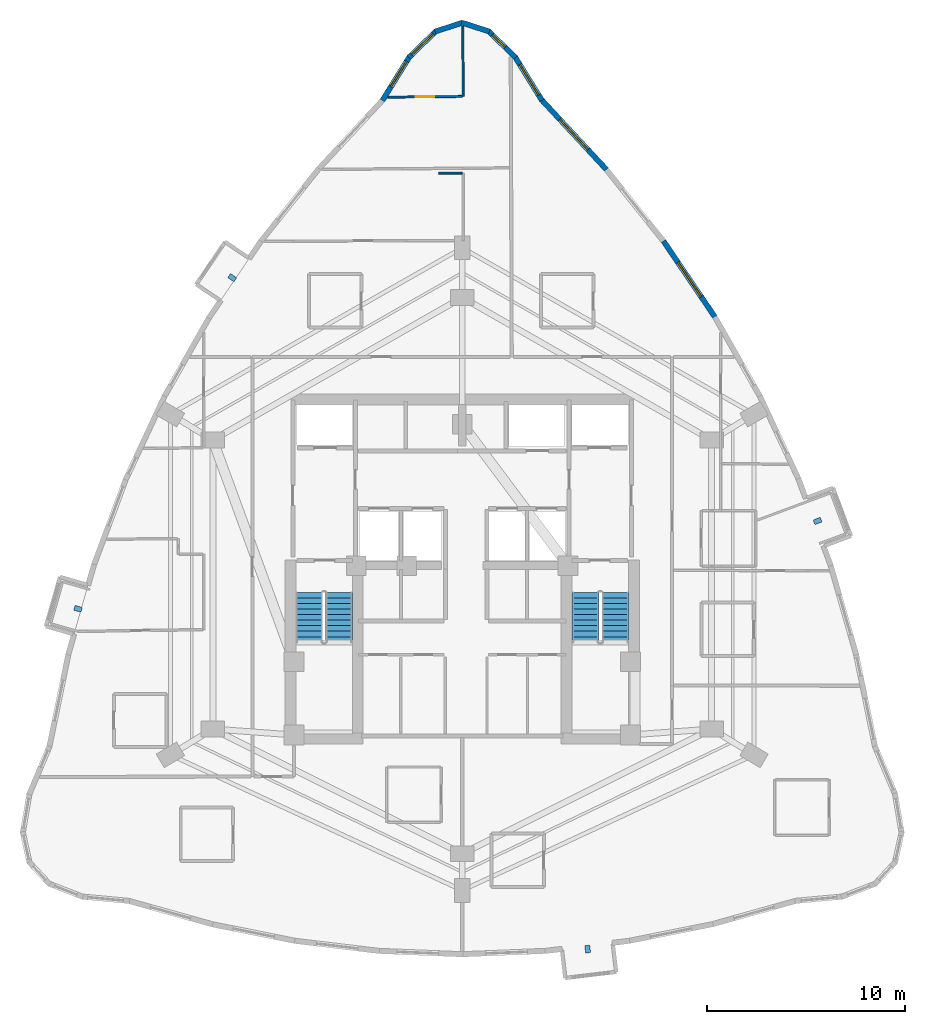
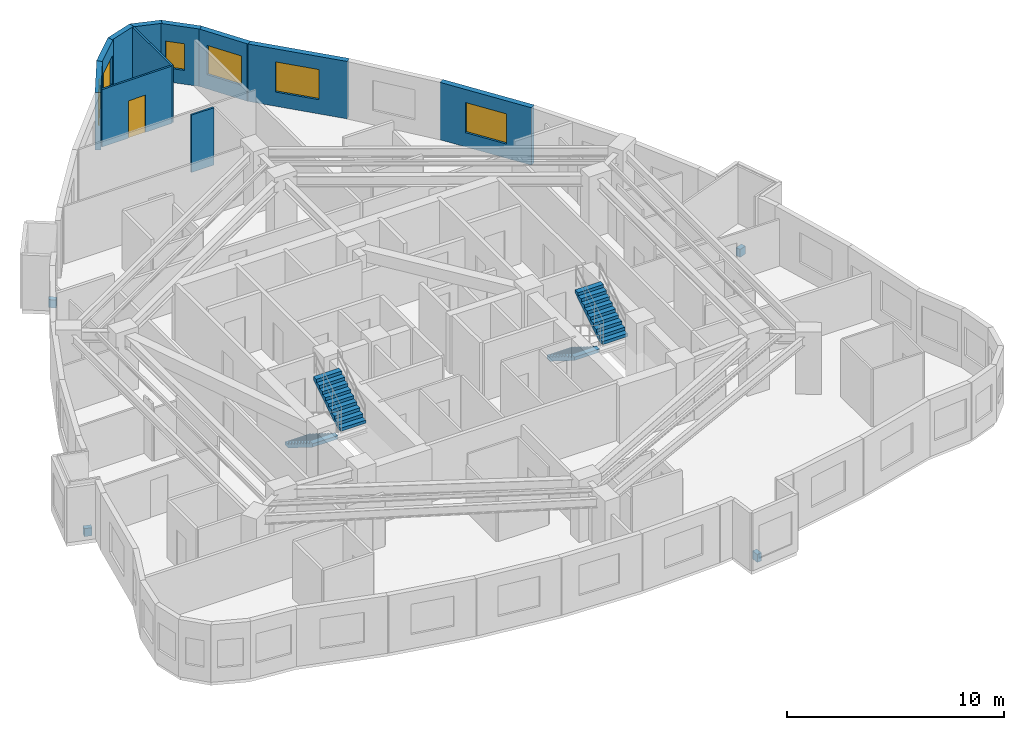
# One storey, part 10 of 11: 11 walls, 6 windows, 4 discrete accessories, 4 stair flights, 1 door, 7 openings, 2 elements without a shape of their own.
"""IFC4 building model written with IfcOpenShell, lengths in metres."""

from ifc_helpers import new_model, si_unit, direction, frame, frame_2d, origin, origin_2d, place, context, subcontext, project, spatial, polyline, rectangle, outline, extrude, material, layer, layer_set, type_object, element, fill, aggregate, save


model = new_model("IFC4")

# Units and contexts
model_context = context("Model", 3, precision=1e-05, world=origin(), true_north=direction((0.0, 1.0)))
body_context = subcontext(model_context, "Body", "Model", "MODEL_VIEW")
ifc_project = project(units=[si_unit("LENGTHUNIT", "METRE"), si_unit("AREAUNIT", "SQUARE_METRE"), si_unit("VOLUMEUNIT", "CUBIC_METRE"), si_unit("PLANEANGLEUNIT", "RADIAN"), si_unit("MASSUNIT", "GRAM", prefix="KILO")], contexts=[model_context])

# Site, building, storey
site_placement = place(None, origin())
site = spatial("IfcSite", under=ifc_project, at=site_placement, CompositionType="ELEMENT")
building_placement = place(site_placement, origin())
building = spatial("IfcBuilding", under=site, at=building_placement, Name="Miruveldt Soraemaru", CompositionType="ELEMENT")
storey_placement = place(building_placement, frame((0.0, 0.0, 100.39990234375)))
storey = spatial("IfcBuildingStorey", under=building, at=storey_placement, Name="L27", CompositionType="ELEMENT", Elevation=100.39990234375)

# Wall, opening, window
ifc_material_1 = material(Name="Precast concrete C45/55 (45 MPa)", Category="concrete")
ifc_layer_1 = layer(ifc_material_1, 0.27001953125, Name="Precast concrete C45/55 (45 MPa)", Category="concrete")
ifc_layer_set_1 = layer_set([ifc_layer_1], Name="Precast concrete C45/55 (45 MPa)")
wall_type_1 = type_object("IfcWallType", Name="WALL-EXT-PC270", PredefinedType="SOLIDWALL", material=ifc_layer_set_1)
wall_1_placement = place(storey_placement, frame((48.033203125, 67.552490234375, 0.0), z_axis=(0.0, 0.0, 1.0), x_axis=(-0.52601374864, 0.850476064473, 0.0)))
wall_1 = element("IfcWall", 1, at=wall_1_placement, inside=storey, type_object=wall_type_1, Name="L27 Precast Concrete Facade Wall 1", PredefinedType="SOLIDWALL", context=body_context, shape_type="SweptSolid", body=[
    extrude(rectangle(XDim=2.614013671875, YDim=0.27001953125, at=frame_2d((1.30712890625, 0.0))), origin(), (0.0, 0.0, 1.0), 3.235107421875),
])
opening_1_placement = place(wall_1_placement, frame((0.3330078125, 0.0, 0.800048828125)))
opening_1 = element("IfcOpeningElement", 2, at=opening_1_placement, cuts=wall_1, Name="Opening WN-2", PredefinedType="OPENING", context=body_context, shape_type="SweptSolid", body=[
    extrude(rectangle(XDim=1.800048828125, YDim=1.64990234375, at=frame_2d((0.89990234375, 0.824951171875))), frame((0.0, 0.14501953125, 0.0), z_axis=(0.0, -1.0, 0.0), x_axis=(1.0, 0.0, 0.0)), (0.0, 0.0, 1.0), 0.2900390625),
])
ifc_material_2 = material(Name="Triple low-e insulated glazing", Category="glass")
window_type_1 = type_object("IfcWindowType", Name="WIN-PUNCH-1800x1650", PartitioningType="SINGLE_PANEL", PredefinedType="WINDOW", material=ifc_material_2)
window_1_placement = place(opening_1_placement, origin())
window_1 = element("IfcWindow", 3, at=window_1_placement, inside=storey, type_object=window_type_1, Name="L27 Punched Triple-Glazed Window 01.1", OverallHeight=1.64990234375, OverallWidth=1.800048828125, PartitioningType="SINGLE_PANEL", PredefinedType="WINDOW", context=body_context, shape_type="SweptSolid", body=[
    extrude(rectangle(XDim=1.800048828125, YDim=1.64990234375, at=frame_2d((0.89990234375, 0.824951171875))), frame((0.0, 0.030029296875, 0.0), z_axis=(0.0, -1.0, 0.0), x_axis=(1.0, 0.0, 0.0)), (0.0, 0.0, 1.0), 0.06005859375),
])
fill(opening_1, window_1)

wall_2_placement = place(storey_placement, frame((46.70166015625, 69.721435546875, 0.0), z_axis=(0.0, 0.0, 1.0), x_axis=(-0.717753202722, 0.696297594411, 0.0)))
wall_2 = element("IfcWall", 4, at=wall_2_placement, inside=storey, type_object=wall_type_1, Name="L27 Precast Concrete Facade Wall 2", PredefinedType="SOLIDWALL", context=body_context, shape_type="SweptSolid", body=[
    extrude(rectangle(XDim=1.934326171875, YDim=0.27001953125, at=frame_2d((0.96728515625, 0.0))), origin(), (0.0, 0.0, 1.0), 3.235107421875),
])
opening_2_placement = place(wall_2_placement, frame((0.739013671875, 0.0, 0.780029296875)))
opening_2 = element("IfcOpeningElement", 5, at=opening_2_placement, cuts=wall_2, Name="Opening WN-7", PredefinedType="OPENING", context=body_context, shape_type="SweptSolid", body=[
    extrude(rectangle(XDim=0.89990234375, YDim=1.5, at=frame_2d((0.449951171875, 0.75))), frame((0.0, 0.14501953125, 0.0), z_axis=(0.0, -1.0, 0.0), x_axis=(1.0, 0.0, 0.0)), (0.0, 0.0, 1.0), 0.2900390625),
])
window_type_2 = type_object("IfcWindowType", Name="WIN-PUNCH-900x1500", PartitioningType="SINGLE_PANEL", PredefinedType="WINDOW", material=ifc_material_2)
window_2_placement = place(opening_2_placement, origin())
window_2 = element("IfcWindow", 6, at=window_2_placement, inside=storey, type_object=window_type_2, Name="L27 Punched Triple-Glazed Window 02.1", OverallHeight=1.5, OverallWidth=0.89990234375, PartitioningType="SINGLE_PANEL", PredefinedType="WINDOW", context=body_context, shape_type="SweptSolid", body=[
    extrude(rectangle(XDim=0.89990234375, YDim=1.5, at=frame_2d((0.449951171875, 0.75))), frame((0.0, 0.030029296875, 0.0), z_axis=(0.0, -1.0, 0.0), x_axis=(1.0, 0.0, 0.0)), (0.0, 0.0, 1.0), 0.06005859375),
])
fill(opening_2, window_2)

# Walls
for number, where, z_axis, x_axis, name in (
    (7, (45.37158203125, 71.033203125, 0.0), (0.0, 0.0, 1.0), (-0.95152140973, 0.307582520351, 0.0), "L27 Precast Concrete Facade Wall 3"),
    (8, (44.033203125, 71.4873046875, 0.0), (0.0, 0.0, 1.0), (-0.95152140973, -0.307582520351, 0.0), "L27 Precast Concrete Facade Wall 4"),
):
    element("IfcWall", number, at=place(storey_placement, frame(where, z_axis=z_axis, x_axis=x_axis)), inside=storey, type_object=wall_type_1, Name=name, PredefinedType="SOLIDWALL", context=body_context, shape_type="SweptSolid", body=[
        extrude(rectangle(XDim=1.476318359375, YDim=0.27001953125, at=frame_2d((0.73828125, 0.0))), origin(), (0.0, 0.0, 1.0), 3.235107421875),
    ])

# Wall, opening, window
wall_3_placement = place(storey_placement, frame((42.686767578125, 71.068359375, 0.0), z_axis=(0.0, 0.0, 1.0), x_axis=(-0.717753202722, -0.696297594411, 0.0)))
wall_3 = element("IfcWall", 9, at=wall_3_placement, inside=storey, type_object=wall_type_1, Name="L27 Precast Concrete Facade Wall 5", PredefinedType="SOLIDWALL", context=body_context, shape_type="SweptSolid", body=[
    extrude(rectangle(XDim=1.934326171875, YDim=0.27001953125, at=frame_2d((0.96728515625, 0.0))), origin(), (0.0, 0.0, 1.0), 3.235107421875),
])
opening_3_placement = place(wall_3_placement, frame((0.217041015625, 0.0, 0.800048828125)))
opening_3 = element("IfcOpeningElement", 10, at=opening_3_placement, cuts=wall_3, Name="Opening WN-3", PredefinedType="OPENING", context=body_context, shape_type="SweptSolid", body=[
    extrude(rectangle(XDim=1.5, YDim=1.60009765625, at=frame_2d((0.75, 0.800048828125))), frame((0.0, 0.14501953125, 0.0), z_axis=(0.0, -1.0, 0.0), x_axis=(1.0, 0.0, 0.0)), (0.0, 0.0, 1.0), 0.2900390625),
])
window_type_3 = type_object("IfcWindowType", Name="WIN-PUNCH-1500x1600", PartitioningType="SINGLE_PANEL", PredefinedType="WINDOW", material=ifc_material_2)
window_3_placement = place(opening_3_placement, origin())
window_3 = element("IfcWindow", 11, at=window_3_placement, inside=storey, type_object=window_type_3, Name="L27 Punched Triple-Glazed Window 05.1", OverallHeight=1.60009765625, OverallWidth=1.5, PartitioningType="SINGLE_PANEL", PredefinedType="WINDOW", context=body_context, shape_type="SweptSolid", body=[
    extrude(rectangle(XDim=1.5, YDim=1.60009765625, at=frame_2d((0.75, 0.800048828125))), frame((0.0, 0.030029296875, 0.0), z_axis=(0.0, -1.0, 0.0), x_axis=(1.0, 0.0, 0.0)), (0.0, 0.0, 1.0), 0.06005859375),
])
fill(opening_3, window_3)

wall_4_placement = place(storey_placement, frame((41.341796875, 69.775634765625, 0.0), z_axis=(0.0, 0.0, 1.0), x_axis=(-0.52601374864, -0.850476064473, 0.0)))
wall_4 = element("IfcWall", 12, at=wall_4_placement, inside=storey, type_object=wall_type_1, Name="L27 Precast Concrete Facade Wall 6", PredefinedType="SOLIDWALL", context=body_context, shape_type="SweptSolid", body=[
    extrude(rectangle(XDim=2.614013671875, YDim=0.27001953125, at=frame_2d((1.30712890625, 0.0))), origin(), (0.0, 0.0, 1.0), 3.235107421875),
])
opening_4_placement = place(wall_4_placement, frame((0.2939453125, 0.0, 0.800048828125)))
opening_4 = element("IfcOpeningElement", 13, at=opening_4_placement, cuts=wall_4, Name="Opening WN-3", PredefinedType="OPENING", context=body_context, shape_type="SweptSolid", body=[
    extrude(rectangle(XDim=1.5, YDim=1.60009765625, at=frame_2d((0.75, 0.800048828125))), frame((0.0, 0.14501953125, 0.0), z_axis=(0.0, -1.0, 0.0), x_axis=(1.0, 0.0, 0.0)), (0.0, 0.0, 1.0), 0.2900390625),
])
window_4_placement = place(opening_4_placement, origin())
window_4 = element("IfcWindow", 14, at=window_4_placement, inside=storey, type_object=window_type_3, Name="L27 Punched Triple-Glazed Window 06.1", OverallHeight=1.60009765625, OverallWidth=1.5, PartitioningType="SINGLE_PANEL", PredefinedType="WINDOW", context=body_context, shape_type="SweptSolid", body=[
    extrude(rectangle(XDim=1.5, YDim=1.60009765625, at=frame_2d((0.75, 0.800048828125))), frame((0.0, 0.030029296875, 0.0), z_axis=(0.0, -1.0, 0.0), x_axis=(1.0, 0.0, 0.0)), (0.0, 0.0, 1.0), 0.06005859375),
])
fill(opening_4, window_4)

wall_5_placement = place(storey_placement, frame((56.802734375, 56.56201171875, 0.0), z_axis=(0.0, 0.0, 1.0), x_axis=(-0.560824019385, 0.827935033249, 0.0)))
wall_5 = element("IfcWall", 15, at=wall_5_placement, inside=storey, type_object=wall_type_1, Name="L27 Precast Concrete Facade Wall 40", PredefinedType="SOLIDWALL", context=body_context, shape_type="SweptSolid", body=[
    extrude(rectangle(XDim=4.698974609375, YDim=0.27001953125, at=frame_2d((2.349609375, 0.0))), origin(), (0.0, 0.0, 1.0), 3.235107421875),
])
opening_5_placement = place(wall_5_placement, frame((1.299072265625, 0.0, 0.800048828125)))
opening_5 = element("IfcOpeningElement", 16, at=opening_5_placement, cuts=wall_5, Name="Opening WN-1", PredefinedType="OPENING", context=body_context, shape_type="SweptSolid", body=[
    extrude(rectangle(XDim=2.10009765625, YDim=1.699951171875, at=frame_2d((1.050048828125, 0.85009765625))), frame((0.0, 0.14501953125, 0.0), z_axis=(0.0, -1.0, 0.0), x_axis=(1.0, 0.0, 0.0)), (0.0, 0.0, 1.0), 0.2900390625),
])
window_type_4 = type_object("IfcWindowType", Name="WIN-PUNCH-2100x1700", PartitioningType="SINGLE_PANEL", PredefinedType="WINDOW", material=ifc_material_2)
window_5_placement = place(opening_5_placement, origin())
window_5 = element("IfcWindow", 17, at=window_5_placement, inside=storey, type_object=window_type_4, Name="L27 Punched Triple-Glazed Window 40.1", OverallHeight=1.699951171875, OverallWidth=2.10009765625, PartitioningType="SINGLE_PANEL", PredefinedType="WINDOW", context=body_context, shape_type="SweptSolid", body=[
    extrude(rectangle(XDim=2.10009765625, YDim=1.699951171875, at=frame_2d((1.050048828125, 0.85009765625))), frame((0.0, 0.030029296875, 0.0), z_axis=(0.0, -1.0, 0.0), x_axis=(1.0, 0.0, 0.0)), (0.0, 0.0, 1.0), 0.06005859375),
])
fill(opening_5, window_5)

wall_6_placement = place(storey_placement, frame((51.2880859375, 64.061279296875, 0.0), z_axis=(0.0, 0.0, 1.0), x_axis=(-0.680847438827, 0.732425262428, 0.0)))
wall_6 = element("IfcWall", 18, at=wall_6_placement, inside=storey, type_object=wall_type_1, Name="L27 Precast Concrete Facade Wall 42", PredefinedType="SOLIDWALL", context=body_context, shape_type="SweptSolid", body=[
    extrude(rectangle(XDim=4.84228515625, YDim=0.27001953125, at=frame_2d((2.421142578125, 0.0))), origin(), (0.0, 0.0, 1.0), 3.235107421875),
])
opening_6_placement = place(wall_6_placement, frame((1.37109375, 0.0, 0.800048828125)))
opening_6 = element("IfcOpeningElement", 19, at=opening_6_placement, cuts=wall_6, Name="Opening WN-1", PredefinedType="OPENING", context=body_context, shape_type="SweptSolid", body=[
    extrude(rectangle(XDim=2.10009765625, YDim=1.699951171875, at=frame_2d((1.050048828125, 0.85009765625))), frame((0.0, 0.14501953125, 0.0), z_axis=(0.0, -1.0, 0.0), x_axis=(1.0, 0.0, 0.0)), (0.0, 0.0, 1.0), 0.2900390625),
])
window_6_placement = place(opening_6_placement, origin())
window_6 = element("IfcWindow", 20, at=window_6_placement, inside=storey, type_object=window_type_4, Name="L27 Punched Triple-Glazed Window 42.1", OverallHeight=1.699951171875, OverallWidth=2.10009765625, PartitioningType="SINGLE_PANEL", PredefinedType="WINDOW", context=body_context, shape_type="SweptSolid", body=[
    extrude(rectangle(XDim=2.10009765625, YDim=1.699951171875, at=frame_2d((1.050048828125, 0.85009765625))), frame((0.0, 0.030029296875, 0.0), z_axis=(0.0, -1.0, 0.0), x_axis=(1.0, 0.0, 0.0)), (0.0, 0.0, 1.0), 0.06005859375),
])
fill(opening_6, window_6)

# Wall, opening, door
ifc_material_3 = material(Name="Gypsum plasterboard lining", Category="gypsum")
ifc_layer_2 = layer(ifc_material_3, 0.10009765625, Name="Gypsum plasterboard lining", Category="gypsum")
ifc_layer_set_2 = layer_set([ifc_layer_2], Name="Gypsum plasterboard lining")
wall_type_2 = type_object("IfcWallType", Name="WALL-INT-P100", PredefinedType="PARTITIONING", material=ifc_layer_set_2)
wall_7_placement = place(storey_placement, frame((44.0, 67.75390625, 0.0), z_axis=(0.0, 0.0, 1.0), x_axis=(-0.999951807458, -0.009817472232, 0.0)))
wall_7 = element("IfcWall", 21, at=wall_7_placement, inside=storey, type_object=wall_type_2, Name="L27 Partition Wall 18", PredefinedType="PARTITIONING", context=body_context, shape_type="SweptSolid", body=[
    extrude(rectangle(XDim=3.755126953125, YDim=0.10009765625, at=frame_2d((1.87744140625, 0.0))), origin(), (0.0, 0.0, 1.0), 3.235107421875),
])
opening_7_placement = place(wall_7_placement, frame((1.41796875, 0.0, 0.0)))
opening_7 = element("IfcOpeningElement", 22, at=opening_7_placement, cuts=wall_7, Name="Opening D3A", PredefinedType="OPENING", context=body_context, shape_type="SweptSolid", body=[
    extrude(rectangle(XDim=0.919921875, YDim=2.10009765625, at=frame_2d((0.4599609375, 1.050048828125))), frame((0.0, 0.06005859375, 0.0), z_axis=(0.0, -1.0, 0.0), x_axis=(1.0, 0.0, 0.0)), (0.0, 0.0, 1.0), 0.1201171875),
])
ifc_material_4 = material(Name="Anodised aluminium EN AW-6063 T6", Category="aluminium")
door_type = type_object("IfcDoorType", Name="DOOR-INT-920", OperationType="NOTDEFINED", PredefinedType="DOOR", material=ifc_material_4)
door_placement = place(opening_7_placement, origin())
door = element("IfcDoor", 23, at=door_placement, inside=storey, type_object=door_type, Name="L27 Unit 2701 EXT Door", OperationType="SINGLE_SWING_LEFT", OverallHeight=2.10009765625, OverallWidth=0.919921875, PredefinedType="DOOR", context=body_context, shape_type="SweptSolid", body=[
    extrude(rectangle(XDim=0.919921875, YDim=2.10009765625, at=frame_2d((0.4599609375, 1.050048828125))), frame((0.0, 0.02490234375, 0.0), z_axis=(0.0, -1.0, 0.0), x_axis=(1.0, 0.0, 0.0)), (0.0, 0.0, 1.0), 0.050048828125),
])
fill(opening_7, door)

# Walls
wall_8_placement = place(storey_placement, frame((44.029052734375, 71.31005859375, 0.0), z_axis=(0.0, 0.0, 1.0), x_axis=(0.005904057469, -0.999982570901, 0.0)))
element("IfcWall", 24, at=wall_8_placement, inside=storey, type_object=wall_type_2, Name="L27 Partition Wall 17", PredefinedType="PARTITIONING", context=body_context, shape_type="SweptSolid", body=[
    extrude(rectangle(XDim=3.55615234375, YDim=0.10009765625, at=frame_2d((1.778076171875, 0.0))), origin(), (0.0, 0.0, 1.0), 3.235107421875),
])
wall_9_placement = place(storey_placement, frame((42.806884765625, 63.8798828125, 0.0), z_axis=(0.0, 0.0, 1.0), x_axis=(1.0, 0.0, 0.0)))
element("IfcWall", 25, at=wall_9_placement, inside=storey, type_object=wall_type_2, Name="L27 Partition Wall 14", PredefinedType="PARTITIONING", context=body_context, shape_type="SweptSolid", body=[
    extrude(rectangle(XDim=1.193115234375, YDim=0.10009765625, at=frame_2d((0.5966796875, 0.0))), origin(), (0.0, 0.0, 1.0), 3.235107421875),
])

# Stair, stair flights
ifc_material_5 = material(Name="Concrete C40/50 (40 MPa)", Category="concrete")
stair_type = type_object("IfcStairType", Name="STAIR-DL-350", PredefinedType="HALF_TURN_STAIR", material=ifc_material_5)
stair_1_placement = place(storey_placement, origin())
stair_1 = element("IfcStair", 26, at=stair_1_placement, inside=storey, type_object=stair_type, Name="L27 Protected Exit Stair ST-1", PredefinedType="HALF_TURN_STAIR")
stair_flight_type = type_object("IfcStairFlightType", Name="SFL-DL-350", PredefinedType="STRAIGHT", material=ifc_material_5)
stair_flight_1_placement = place(storey_placement, frame((36.27490234375, 42.699951171875, 0.0), z_axis=(0.0, 0.0, 1.0), x_axis=(0.0, -1.0, 0.0)))
stair_flight_1 = element("IfcStairFlight", 27, at=stair_flight_1_placement, type_object=stair_flight_type, Name="ST-1 flight 1", NumberOfRisers=10, NumberOfTreads=9, PredefinedType="STRAIGHT", RiserHeight=0.175, TreadLength=0.28, context=body_context, shape_type="SweptSolid", body=[
    extrude(outline(polyline([(0.0, 0.0), (0.0, 0.175048828125), (0.280029296875, 0.175048828125), (0.280029296875, 0.35009765625), (0.56005859375, 0.35009765625), (0.56005859375, 0.52490234375), (0.840087890625, 0.52490234375), (0.840087890625, 0.699951171875), (1.1201171875, 0.699951171875), (1.1201171875, 0.875), (1.39990234375, 0.875), (1.39990234375, 1.050048828125), (1.679931640625, 1.050048828125), (1.679931640625, 1.22509765625), (1.9599609375, 1.22509765625), (1.9599609375, 1.39990234375), (2.239990234375, 1.39990234375), (2.239990234375, 1.574951171875), (2.52001953125, 1.574951171875), (2.52001953125, 1.75), (2.52001953125, 1.386474609375), (0.3017578125, 0.0), (0.0, 0.0)])), frame((0.0, 0.675048828125, 0.0), z_axis=(0.0, -1.0, 0.0), x_axis=(1.0, 0.0, 0.0)), (0.0, 0.0, 1.0), 1.35009765625),
])
stair_flight_2_placement = place(storey_placement, frame((37.77490234375, 40.179931640625, 1.75), z_axis=(0.0, 0.0, 1.0), x_axis=(0.0, 1.0, 0.0)))
stair_flight_2 = element("IfcStairFlight", 28, at=stair_flight_2_placement, type_object=stair_flight_type, Name="ST-1 flight 2", NumberOfRisers=10, NumberOfTreads=9, PredefinedType="STRAIGHT", RiserHeight=0.175, TreadLength=0.28, context=body_context, shape_type="SweptSolid", body=[
    extrude(outline(polyline([(0.0, 0.0), (0.0, 0.175048828125), (0.280029296875, 0.175048828125), (0.280029296875, 0.35009765625), (0.56005859375, 0.35009765625), (0.56005859375, 0.52490234375), (0.840087890625, 0.52490234375), (0.840087890625, 0.699951171875), (1.1201171875, 0.699951171875), (1.1201171875, 0.875), (1.39990234375, 0.875), (1.39990234375, 1.050048828125), (1.679931640625, 1.050048828125), (1.679931640625, 1.22509765625), (1.9599609375, 1.22509765625), (1.9599609375, 1.39990234375), (2.239990234375, 1.39990234375), (2.239990234375, 1.574951171875), (2.52001953125, 1.574951171875), (2.52001953125, 1.75), (2.52001953125, 1.386474609375), (0.3017578125, 0.0), (0.0, 0.0)])), frame((0.0, 0.675048828125, 0.0), z_axis=(0.0, -1.0, 0.0), x_axis=(1.0, 0.0, 0.0)), (0.0, 0.0, 1.0), 1.35009765625),
])
aggregate(stair_1, [stair_flight_1, stair_flight_2])

stair_2_placement = place(storey_placement, origin())
stair_2 = element("IfcStair", 29, at=stair_2_placement, inside=storey, type_object=stair_type, Name="L27 Protected Exit Stair ST-2", PredefinedType="HALF_TURN_STAIR")
stair_flight_3_placement = place(storey_placement, frame((50.22509765625, 42.699951171875, 0.0), z_axis=(0.0, 0.0, 1.0), x_axis=(0.0, -1.0, 0.0)))
stair_flight_3 = element("IfcStairFlight", 30, at=stair_flight_3_placement, type_object=stair_flight_type, Name="ST-2 flight 1", NumberOfRisers=10, NumberOfTreads=9, PredefinedType="STRAIGHT", RiserHeight=0.175, TreadLength=0.28, context=body_context, shape_type="SweptSolid", body=[
    extrude(outline(polyline([(0.0, 0.0), (0.0, 0.175048828125), (0.280029296875, 0.175048828125), (0.280029296875, 0.35009765625), (0.56005859375, 0.35009765625), (0.56005859375, 0.52490234375), (0.840087890625, 0.52490234375), (0.840087890625, 0.699951171875), (1.1201171875, 0.699951171875), (1.1201171875, 0.875), (1.39990234375, 0.875), (1.39990234375, 1.050048828125), (1.679931640625, 1.050048828125), (1.679931640625, 1.22509765625), (1.9599609375, 1.22509765625), (1.9599609375, 1.39990234375), (2.239990234375, 1.39990234375), (2.239990234375, 1.574951171875), (2.52001953125, 1.574951171875), (2.52001953125, 1.75), (2.52001953125, 1.386474609375), (0.3017578125, 0.0), (0.0, 0.0)])), frame((0.0, 0.675048828125, 0.0), z_axis=(0.0, -1.0, 0.0), x_axis=(1.0, 0.0, 0.0)), (0.0, 0.0, 1.0), 1.35009765625),
])
stair_flight_4_placement = place(storey_placement, frame((51.72509765625, 40.179931640625, 1.75), z_axis=(0.0, 0.0, 1.0), x_axis=(0.0, 1.0, 0.0)))
stair_flight_4 = element("IfcStairFlight", 31, at=stair_flight_4_placement, type_object=stair_flight_type, Name="ST-2 flight 2", NumberOfRisers=10, NumberOfTreads=9, PredefinedType="STRAIGHT", RiserHeight=0.175, TreadLength=0.28, context=body_context, shape_type="SweptSolid", body=[
    extrude(outline(polyline([(0.0, 0.0), (0.0, 0.175048828125), (0.280029296875, 0.175048828125), (0.280029296875, 0.35009765625), (0.56005859375, 0.35009765625), (0.56005859375, 0.52490234375), (0.840087890625, 0.52490234375), (0.840087890625, 0.699951171875), (1.1201171875, 0.699951171875), (1.1201171875, 0.875), (1.39990234375, 0.875), (1.39990234375, 1.050048828125), (1.679931640625, 1.050048828125), (1.679931640625, 1.22509765625), (1.9599609375, 1.22509765625), (1.9599609375, 1.39990234375), (2.239990234375, 1.39990234375), (2.239990234375, 1.574951171875), (2.52001953125, 1.574951171875), (2.52001953125, 1.75), (2.52001953125, 1.386474609375), (0.3017578125, 0.0), (0.0, 0.0)])), frame((0.0, 0.675048828125, 0.0), z_axis=(0.0, -1.0, 0.0), x_axis=(1.0, 0.0, 0.0)), (0.0, 0.0, 1.0), 1.35009765625),
])
aggregate(stair_2, [stair_flight_3, stair_flight_4])

# Discrete accessories
ifc_material_6 = material(Name="Steel SM355 (355 MPa)", Category="steel")
discrete_accessory_type = type_object("IfcDiscreteAccessoryType", Name="ACC-BAY-BRK", PredefinedType="BRACKET", material=ifc_material_6)
for number, where, z_axis, x_axis, name in (
    (32, (32.38232421875, 58.596923828125, -0.7099609375), (0.0, 0.0, 1.0), (-0.827923319955, 0.560841311134, 0.0), "L27 Bay Window Cantilever Bracket 1"),
    (33, (24.591796875, 41.87451171875, -0.7099609375), (0.0, 0.0, 1.0), (-0.961453892845, 0.274966201438, 0.0), "L27 Bay Window Cantilever Bracket 2"),
    (34, (50.336181640625, 24.681396484375, -0.7099609375), (0.0, 0.0, 1.0), (0.119149147143, -0.992876367296, 0.0), "L27 Bay Window Cantilever Bracket 3"),
    (35, (61.9521484375, 46.308349609375, -0.7099609375), (0.0, 0.0, 1.0), (0.937105441274, 0.349046403698, 0.0), "L27 Bay Window Cantilever Bracket 4"),
):
    element("IfcDiscreteAccessory", number, at=place(storey_placement, frame(where, z_axis=z_axis, x_axis=x_axis)), inside=storey, type_object=discrete_accessory_type, Name=name, PredefinedType="BRACKET", context=body_context, shape_type="SweptSolid", body=[
        extrude(rectangle(XDim=0.3798828125, YDim=0.25, at=origin_2d()), origin(), (0.0, 0.0, 1.0), 0.449951171875),
    ])

save(model, "model.ifc")
